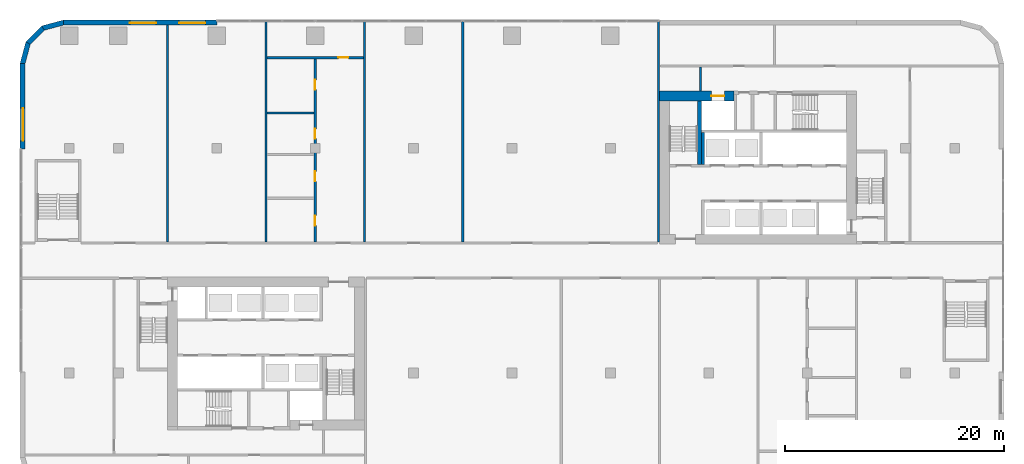
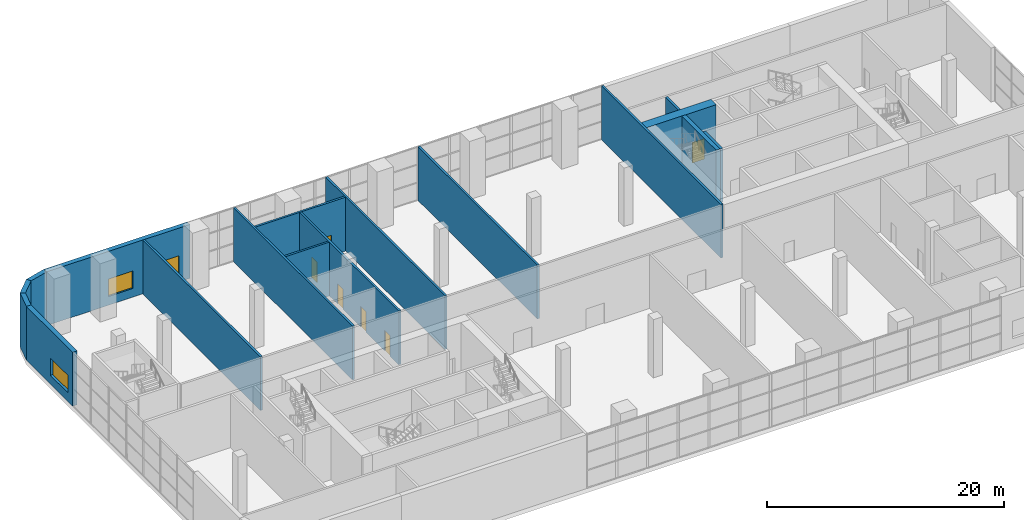
# One storey, part 14 of 27: 17 walls, 6 doors, 3 windows, 9 openings.
"""IFC4 building model written with IfcOpenShell, lengths in metres."""

from ifc_helpers import new_model, si_unit, direction, frame, frame_2d, origin, place, context, subcontext, project, spatial, polyline, rectangle, outline, extrude, material, layer, layer_set, type_object, element, fill, save


model = new_model("IFC4")

# Units and contexts
model_context = context("Model", 3, precision=1e-05, world=origin(), true_north=direction((0.0, 1.0)))
body_context = subcontext(model_context, "Body", "Model", "MODEL_VIEW")
ifc_project = project(units=[si_unit("LENGTHUNIT", "METRE"), si_unit("AREAUNIT", "SQUARE_METRE"), si_unit("VOLUMEUNIT", "CUBIC_METRE"), si_unit("PLANEANGLEUNIT", "RADIAN"), si_unit("MASSUNIT", "GRAM", prefix="KILO")], contexts=[model_context])

# Site, building, storey
site_placement = place(None, origin())
site = spatial("IfcSite", under=ifc_project, at=site_placement, CompositionType="ELEMENT")
building_placement = place(site_placement, origin())
building = spatial("IfcBuilding", under=site, at=building_placement, Name="Kajstack Hotel Tower", CompositionType="ELEMENT")
storey_placement = place(building_placement, frame((0.0, 0.0, 11.0)))
storey = spatial("IfcBuildingStorey", under=building, at=storey_placement, Name="L01", CompositionType="ELEMENT", Elevation=11.0)

# Wall, opening, door
ifc_material_1 = material(Name="Concrete C60/75", Category="concrete")
ifc_layer_1 = layer(ifc_material_1, 0.89990234375)
ifc_layer_set_1 = layer_set([ifc_layer_1], Name="Core wall 900")
wall_type_1 = type_object("IfcWallType", Name="Core wall 900", PredefinedType="SHEAR", material=ifc_layer_set_1)
wall_1_placement = place(storey_placement, frame((13.5, 15.050048828125, 0.0), z_axis=(0.0, 0.0, 1.0), x_axis=(1.0, 0.0, 0.0)))
wall_1 = element("IfcWall", 1, at=wall_1_placement, inside=storey, type_object=wall_type_1, Name="Core wall E RS", PredefinedType="SHEAR", context=body_context, shape_type="SweptSolid", body=[
    extrude(rectangle(XDim=6.800048828125, YDim=0.89990234375, at=frame_2d((3.39990234375, 0.0))), origin(), (0.0, 0.0, 1.0), 5.550048828125),
])
opening_1_placement = place(wall_1_placement, frame((4.72509765625, 0.0, 0.0)))
opening_1 = element("IfcOpeningElement", 2, at=opening_1_placement, cuts=wall_1, Name="Opening LD-SV2", PredefinedType="OPENING", context=body_context, shape_type="SweptSolid", body=[
    extrude(rectangle(XDim=1.199951171875, YDim=2.10009765625, at=frame_2d((0.60009765625, 1.050048828125))), frame((0.0, 0.4599609375, 0.0), z_axis=(0.0, -1.0, 0.0), x_axis=(1.0, 0.0, 0.0)), (0.0, 0.0, 1.0), 0.919921875),
])
ifc_material_2 = material(Name="Stainless steel", Category="steel")
door_type_1 = type_object("IfcDoorType", Name="Lift landing door 1200", OperationType="SLIDING_TO_LEFT", PredefinedType="DOOR", material=ifc_material_2)
door_1_placement = place(opening_1_placement, origin())
door_1 = element("IfcDoor", 3, at=door_1_placement, inside=storey, type_object=door_type_1, Name="Landing door SV2", OperationType="SLIDING_TO_LEFT", OverallHeight=2.10009765625, OverallWidth=1.199951171875, PredefinedType="DOOR", context=body_context, shape_type="SweptSolid", body=[
    extrude(rectangle(XDim=1.199951171875, YDim=2.10009765625, at=frame_2d((0.60009765625, 1.050048828125))), frame((0.0, 0.02490234375, 0.0), z_axis=(0.0, -1.0, 0.0), x_axis=(1.0, 0.0, 0.0)), (0.0, 0.0, 1.0), 0.050048828125),
])
fill(opening_1, door_1)

# Wall, openings, windows
ifc_material_3 = material(Name="Terracotta-faced brick masonry", Category="masonry")
ifc_layer_2 = layer(ifc_material_3, 0.449951171875)
ifc_layer_set_2 = layer_set([ifc_layer_2], Name="EW-TERRA")
wall_type_2 = type_object("IfcWallType", Name="EW-TERRA", PredefinedType="SOLIDWALL", material=ifc_layer_set_2)
wall_2_placement = place(storey_placement, frame((-27.0, 21.77490234375, 0.0), z_axis=(0.0, 0.0, 1.0), x_axis=(-1.0, 0.0, 0.0)))
wall_2 = element("IfcWall", 4, at=wall_2_placement, inside=storey, type_object=wall_type_2, Name="E-wall-L01-11-03", PredefinedType="SOLIDWALL", context=body_context, shape_type="SweptSolid", body=[
    extrude(rectangle(XDim=14.0, YDim=0.449951171875, at=frame_2d((7.0, 0.0))), origin(), (0.0, 0.0, 1.0), 5.550048828125),
])
opening_2_placement = place(wall_2_placement, frame((1.050048828125, 0.0, 0.89990234375)))
opening_2 = element("IfcOpeningElement", 5, at=opening_2_placement, cuts=wall_2, Name="Opening W4", PredefinedType="OPENING", context=body_context, shape_type="SweptSolid", body=[
    extrude(rectangle(XDim=2.39990234375, YDim=1.800048828125, at=frame_2d((1.199951171875, 0.89990234375))), frame((0.0, 0.23486328125, 0.0), z_axis=(0.0, -1.0, 0.0), x_axis=(1.0, 0.0, 0.0)), (0.0, 0.0, 1.0), 0.469970703125),
])
opening_3_placement = place(wall_2_placement, frame((5.550048828125, 0.0, 0.89990234375)))
opening_3 = element("IfcOpeningElement", 6, at=opening_3_placement, cuts=wall_2, Name="Opening W4", PredefinedType="OPENING", context=body_context, shape_type="SweptSolid", body=[
    extrude(rectangle(XDim=2.39990234375, YDim=1.800048828125, at=frame_2d((1.199951171875, 0.89990234375))), frame((0.0, 0.23486328125, 0.0), z_axis=(0.0, -1.0, 0.0), x_axis=(1.0, 0.0, 0.0)), (0.0, 0.0, 1.0), 0.469970703125),
])
ifc_material_4 = material(Name="Timber-aluminium window, triple glazed", Category="wood")
window_type_1 = type_object("IfcWindowType", Name="WP1", PartitioningType="SINGLE_PANEL", PredefinedType="WINDOW", material=ifc_material_4)
window_1_placement = place(opening_2_placement, origin())
window_1 = element("IfcWindow", 7, at=window_1_placement, inside=storey, type_object=window_type_1, Name="Window W4 L01-11", OverallHeight=1.800048828125, OverallWidth=2.39990234375, PartitioningType="SINGLE_PANEL", PredefinedType="WINDOW", context=body_context, shape_type="SweptSolid", body=[
    extrude(rectangle(XDim=2.39990234375, YDim=1.800048828125, at=frame_2d((1.199951171875, 0.89990234375))), frame((0.0, 0.090087890625, 0.0), z_axis=(0.0, -1.0, 0.0), x_axis=(1.0, 0.0, 0.0)), (0.0, 0.0, 1.0), 0.06005859375),
])
fill(opening_2, window_1)
window_2_placement = place(opening_3_placement, origin())
window_2 = element("IfcWindow", 8, at=window_2_placement, inside=storey, type_object=window_type_1, Name="Window W4 L01-11", OverallHeight=1.800048828125, OverallWidth=2.39990234375, PartitioningType="SINGLE_PANEL", PredefinedType="WINDOW", context=body_context, shape_type="SweptSolid", body=[
    extrude(rectangle(XDim=2.39990234375, YDim=1.800048828125, at=frame_2d((1.199951171875, 0.89990234375))), frame((0.0, 0.090087890625, 0.0), z_axis=(0.0, -1.0, 0.0), x_axis=(1.0, 0.0, 0.0)), (0.0, 0.0, 1.0), 0.06005859375),
])
fill(opening_3, window_2)

# Walls
wall_3_placement = place(storey_placement, frame((-40.941650390625, 21.78271484375, 0.0), z_axis=(0.0, 0.0, 1.0), x_axis=(-0.965926999034, -0.25881466832, 0.0)))
element("IfcWall", 9, at=wall_3_placement, inside=storey, type_object=wall_type_2, Name="E-wall-L01-12-00", PredefinedType="SOLIDWALL", context=body_context, shape_type="SweptSolid", body=[
    extrude(outline(polyline([(0.000244140625, -0.22509765625), (2.070556640625, -0.224853515625), (1.9501953125, 0.22509765625), (0.12060546875, 0.22509765625), (0.000244140625, -0.22509765625)])), origin(), (0.0, 0.0, 1.0), 5.550048828125),
])
wall_4_placement = place(storey_placement, frame((-42.8408203125, 21.304931640625, 0.0), z_axis=(0.0, 0.0, 1.0), x_axis=(-0.707106781187, -0.707106781187, 0.0)))
element("IfcWall", 10, at=wall_4_placement, inside=storey, type_object=wall_type_2, Name="E-wall-L01-13-00", PredefinedType="SOLIDWALL", context=body_context, shape_type="SweptSolid", body=[
    extrude(outline(polyline([(0.0, -0.22509765625), (2.070556640625, -0.22509765625), (1.949951171875, 0.224853515625), (0.12060546875, 0.224853515625), (0.0, -0.22509765625)])), origin(), (0.0, 0.0, 1.0), 5.550048828125),
])
wall_5_placement = place(storey_placement, frame((-44.246826171875, 19.941650390625, 0.0), z_axis=(0.0, 0.0, 1.0), x_axis=(-0.25881466832, -0.965926999034, 0.0)))
element("IfcWall", 11, at=wall_5_placement, inside=storey, type_object=wall_type_2, Name="E-wall-L01-14-00", PredefinedType="SOLIDWALL", context=body_context, shape_type="SweptSolid", body=[
    extrude(outline(polyline([(-0.000244140625, -0.224853515625), (2.0703125, -0.22509765625), (1.949951171875, 0.22509765625), (0.120361328125, 0.22509765625), (-0.000244140625, -0.224853515625)])), origin(), (0.0, 0.0, 1.0), 5.550048828125),
])

# Wall, opening, window
wall_6_placement = place(storey_placement, frame((-44.77490234375, 18.0, 0.0), z_axis=(0.0, 0.0, 1.0), x_axis=(0.0, -1.0, 0.0)))
wall_6 = element("IfcWall", 12, at=wall_6_placement, inside=storey, type_object=wall_type_2, Name="E-wall-L01-15-00", PredefinedType="SOLIDWALL", context=body_context, shape_type="SweptSolid", body=[
    extrude(rectangle(XDim=7.800048828125, YDim=0.449951171875, at=frame_2d((3.89990234375, 0.0))), origin(), (0.0, 0.0, 1.0), 5.550048828125),
])
opening_4_placement = place(wall_6_placement, frame((4.050048828125, 0.0, 0.89990234375)))
opening_4 = element("IfcOpeningElement", 13, at=opening_4_placement, cuts=wall_6, Name="Opening W5", PredefinedType="OPENING", context=body_context, shape_type="SweptSolid", body=[
    extrude(rectangle(XDim=3.0, YDim=1.800048828125, at=frame_2d((1.5, 0.89990234375))), frame((0.0, 0.23486328125, 0.0), z_axis=(0.0, -1.0, 0.0), x_axis=(1.0, 0.0, 0.0)), (0.0, 0.0, 1.0), 0.469970703125),
])
window_type_2 = type_object("IfcWindowType", Name="WP2", PartitioningType="SINGLE_PANEL", PredefinedType="WINDOW", material=ifc_material_4)
window_3_placement = place(opening_4_placement, origin())
window_3 = element("IfcWindow", 14, at=window_3_placement, inside=storey, type_object=window_type_2, Name="Window W5 L01-15", OverallHeight=1.800048828125, OverallWidth=3.0, PartitioningType="SINGLE_PANEL", PredefinedType="WINDOW", context=body_context, shape_type="SweptSolid", body=[
    extrude(rectangle(XDim=3.0, YDim=1.800048828125, at=frame_2d((1.5, 0.89990234375))), frame((0.0, 0.090087890625, 0.0), z_axis=(0.0, -1.0, 0.0), x_axis=(1.0, 0.0, 0.0)), (0.0, 0.0, 1.0), 0.06005859375),
])
fill(opening_4, window_3)

# Walls
ifc_material_5 = material(Name="Gypsum board on steel studs, mineral wool", Category="steel")
ifc_layer_3 = layer(ifc_material_5, 0.199951171875)
ifc_layer_set_3 = layer_set([ifc_layer_3], Name="Public partition 200")
wall_type_3 = type_object("IfcWallType", Name="Public partition 200", PredefinedType="PARTITIONING", material=ifc_layer_set_3)
for number, where, z_axis, x_axis, name in (
    (15, (-4.5, 1.699951171875, 0.0), (0.0, 0.0, 1.0), (0.0, 1.0, 0.0), "Partition PX0"),
    (16, (-13.5, 1.699951171875, 0.0), (0.0, 0.0, 1.0), (0.0, 1.0, 0.0), "Partition PX1"),
):
    element("IfcWall", number, at=place(storey_placement, frame(where, z_axis=z_axis, x_axis=x_axis)), inside=storey, type_object=wall_type_3, Name=name, PredefinedType="PARTITIONING", context=body_context, shape_type="SweptSolid", body=[
        extrude(rectangle(XDim=20.150146484375, YDim=0.199951171875, at=frame_2d((10.0751953125, 0.0))), origin(), (0.0, 0.0, 1.0), 5.550048828125),
    ])

# Wall, openings, doors
wall_7_placement = place(storey_placement, frame((-18.0, 1.699951171875, 0.0), z_axis=(0.0, 0.0, 1.0), x_axis=(0.0, 1.0, 0.0)))
wall_7 = element("IfcWall", 17, at=wall_7_placement, inside=storey, type_object=wall_type_3, Name="Partition C2CW", PredefinedType="PARTITIONING", context=body_context, shape_type="SweptSolid", body=[
    extrude(rectangle(XDim=16.75, YDim=0.199951171875, at=frame_2d((8.375, 0.0))), origin(), (0.0, 0.0, 1.0), 5.550048828125),
])
opening_5_placement = place(wall_7_placement, frame((1.5, 0.0, 0.0)))
opening_5 = element("IfcOpeningElement", 18, at=opening_5_placement, cuts=wall_7, Name="Opening 01P05", PredefinedType="OPENING", context=body_context, shape_type="SweptSolid", body=[
    extrude(rectangle(XDim=0.89990234375, YDim=2.10009765625, at=frame_2d((0.449951171875, 1.050048828125))), frame((0.0, 0.10986328125, 0.0), z_axis=(0.0, -1.0, 0.0), x_axis=(1.0, 0.0, 0.0)), (0.0, 0.0, 1.0), 0.219970703125),
])
opening_6_placement = place(wall_7_placement, frame((5.550048828125, 0.0, 0.0)))
opening_6 = element("IfcOpeningElement", 19, at=opening_6_placement, cuts=wall_7, Name="Opening 01P06", PredefinedType="OPENING", context=body_context, shape_type="SweptSolid", body=[
    extrude(rectangle(XDim=0.89990234375, YDim=2.10009765625, at=frame_2d((0.449951171875, 1.050048828125))), frame((0.0, 0.10986328125, 0.0), z_axis=(0.0, -1.0, 0.0), x_axis=(1.0, 0.0, 0.0)), (0.0, 0.0, 1.0), 0.219970703125),
])
opening_7_placement = place(wall_7_placement, frame((9.449951171875, 0.0, 0.0)))
opening_7 = element("IfcOpeningElement", 20, at=opening_7_placement, cuts=wall_7, Name="Opening 01P07", PredefinedType="OPENING", context=body_context, shape_type="SweptSolid", body=[
    extrude(rectangle(XDim=0.89990234375, YDim=2.10009765625, at=frame_2d((0.449951171875, 1.050048828125))), frame((0.0, 0.10986328125, 0.0), z_axis=(0.0, -1.0, 0.0), x_axis=(1.0, 0.0, 0.0)), (0.0, 0.0, 1.0), 0.219970703125),
])
opening_8_placement = place(wall_7_placement, frame((13.925048828125, 0.0, 0.0)))
opening_8 = element("IfcOpeningElement", 21, at=opening_8_placement, cuts=wall_7, Name="Opening 01P08", PredefinedType="OPENING", context=body_context, shape_type="SweptSolid", body=[
    extrude(rectangle(XDim=0.89990234375, YDim=2.10009765625, at=frame_2d((0.449951171875, 1.050048828125))), frame((0.0, 0.10986328125, 0.0), z_axis=(0.0, -1.0, 0.0), x_axis=(1.0, 0.0, 0.0)), (0.0, 0.0, 1.0), 0.219970703125),
])
ifc_material_6 = material(Name="Timber leaf", Category="wood")
door_type_2 = type_object("IfcDoorType", Name="Public room door 900", OperationType="SINGLE_SWING_LEFT", PredefinedType="DOOR", material=ifc_material_6)
door_2_placement = place(opening_5_placement, origin())
door_2 = element("IfcDoor", 22, at=door_2_placement, inside=storey, type_object=door_type_2, Name="Door 01P05", OperationType="SINGLE_SWING_LEFT", OverallHeight=2.10009765625, OverallWidth=0.89990234375, PredefinedType="DOOR", context=body_context, shape_type="SweptSolid", body=[
    extrude(rectangle(XDim=0.89990234375, YDim=2.10009765625, at=frame_2d((0.449951171875, 1.050048828125))), frame((0.0, 0.02490234375, 0.0), z_axis=(0.0, -1.0, 0.0), x_axis=(1.0, 0.0, 0.0)), (0.0, 0.0, 1.0), 0.050048828125),
])
fill(opening_5, door_2)
door_3_placement = place(opening_6_placement, origin())
door_3 = element("IfcDoor", 23, at=door_3_placement, inside=storey, type_object=door_type_2, Name="Door 01P06", OperationType="SINGLE_SWING_LEFT", OverallHeight=2.10009765625, OverallWidth=0.89990234375, PredefinedType="DOOR", context=body_context, shape_type="SweptSolid", body=[
    extrude(rectangle(XDim=0.89990234375, YDim=2.10009765625, at=frame_2d((0.449951171875, 1.050048828125))), frame((0.0, 0.02490234375, 0.0), z_axis=(0.0, -1.0, 0.0), x_axis=(1.0, 0.0, 0.0)), (0.0, 0.0, 1.0), 0.050048828125),
])
fill(opening_6, door_3)
door_4_placement = place(opening_7_placement, origin())
door_4 = element("IfcDoor", 24, at=door_4_placement, inside=storey, type_object=door_type_2, Name="Door 01P07", OperationType="SINGLE_SWING_LEFT", OverallHeight=2.10009765625, OverallWidth=0.89990234375, PredefinedType="DOOR", context=body_context, shape_type="SweptSolid", body=[
    extrude(rectangle(XDim=0.89990234375, YDim=2.10009765625, at=frame_2d((0.449951171875, 1.050048828125))), frame((0.0, 0.02490234375, 0.0), z_axis=(0.0, -1.0, 0.0), x_axis=(1.0, 0.0, 0.0)), (0.0, 0.0, 1.0), 0.050048828125),
])
fill(opening_7, door_4)
door_5_placement = place(opening_8_placement, origin())
door_5 = element("IfcDoor", 25, at=door_5_placement, inside=storey, type_object=door_type_2, Name="Door 01P08", OperationType="SINGLE_SWING_LEFT", OverallHeight=2.10009765625, OverallWidth=0.89990234375, PredefinedType="DOOR", context=body_context, shape_type="SweptSolid", body=[
    extrude(rectangle(XDim=0.89990234375, YDim=2.10009765625, at=frame_2d((0.449951171875, 1.050048828125))), frame((0.0, 0.02490234375, 0.0), z_axis=(0.0, -1.0, 0.0), x_axis=(1.0, 0.0, 0.0)), (0.0, 0.0, 1.0), 0.050048828125),
])
fill(opening_8, door_5)

# Wall
wall_8_placement = place(storey_placement, frame((-22.39990234375, 13.5, 0.0), z_axis=(0.0, 0.0, 1.0), x_axis=(1.0, 0.0, 0.0)))
element("IfcWall", 26, at=wall_8_placement, inside=storey, type_object=wall_type_3, Name="Partition C2wP2", PredefinedType="PARTITIONING", context=body_context, shape_type="SweptSolid", body=[
    extrude(rectangle(XDim=4.2998046875, YDim=0.199951171875, at=frame_2d((2.14990234375, 0.0))), origin(), (0.0, 0.0, 1.0), 5.550048828125),
])

# Wall, opening, door
wall_9_placement = place(storey_placement, frame((-22.39990234375, 18.550048828125, 0.0), z_axis=(0.0, 0.0, 1.0), x_axis=(1.0, 0.0, 0.0)))
wall_9 = element("IfcWall", 27, at=wall_9_placement, inside=storey, type_object=wall_type_3, Name="Partition C2BW", PredefinedType="PARTITIONING", context=body_context, shape_type="SweptSolid", body=[
    extrude(rectangle(XDim=8.7998046875, YDim=0.199951171875, at=frame_2d((4.39990234375, 0.0))), origin(), (0.0, 0.0, 1.0), 5.550048828125),
])
opening_9_placement = place(wall_9_placement, frame((6.52490234375, 0.0, 0.0)))
opening_9 = element("IfcOpeningElement", 28, at=opening_9_placement, cuts=wall_9, Name="Opening 01P09", PredefinedType="OPENING", context=body_context, shape_type="SweptSolid", body=[
    extrude(rectangle(XDim=0.89990234375, YDim=2.10009765625, at=frame_2d((0.449951171875, 1.050048828125))), frame((0.0, 0.10986328125, 0.0), z_axis=(0.0, -1.0, 0.0), x_axis=(1.0, 0.0, 0.0)), (0.0, 0.0, 1.0), 0.219970703125),
])
door_6_placement = place(opening_9_placement, origin())
door_6 = element("IfcDoor", 29, at=door_6_placement, inside=storey, type_object=door_type_2, Name="Door 01P09", OperationType="SINGLE_SWING_LEFT", OverallHeight=2.10009765625, OverallWidth=0.89990234375, PredefinedType="DOOR", context=body_context, shape_type="SweptSolid", body=[
    extrude(rectangle(XDim=0.89990234375, YDim=2.10009765625, at=frame_2d((0.449951171875, 1.050048828125))), frame((0.0, 0.02490234375, 0.0), z_axis=(0.0, -1.0, 0.0), x_axis=(1.0, 0.0, 0.0)), (0.0, 0.0, 1.0), 0.050048828125),
])
fill(opening_9, door_6)

# Walls
wall_10_placement = place(storey_placement, frame((-22.5, 1.699951171875, 0.0), z_axis=(0.0, 0.0, 1.0), x_axis=(0.0, 1.0, 0.0)))
element("IfcWall", 30, at=wall_10_placement, inside=storey, type_object=wall_type_3, Name="Partition PX2", PredefinedType="PARTITIONING", context=body_context, shape_type="SweptSolid", body=[
    extrude(rectangle(XDim=20.150146484375, YDim=0.199951171875, at=frame_2d((10.0751953125, 0.0))), origin(), (0.0, 0.0, 1.0), 5.550048828125),
])
wall_11_placement = place(storey_placement, frame((-31.5, 1.699951171875, 0.0), z_axis=(0.0, 0.0, 1.0), x_axis=(0.0, 1.0, 0.0)))
element("IfcWall", 31, at=wall_11_placement, inside=storey, type_object=wall_type_3, Name="Partition PX3", PredefinedType="PARTITIONING", context=body_context, shape_type="SweptSolid", body=[
    extrude(rectangle(XDim=19.85009765625, YDim=0.199951171875, at=frame_2d((9.925048828125, 0.0))), origin(), (0.0, 0.0, 1.0), 5.550048828125),
])
wall_12_placement = place(storey_placement, frame((13.39990234375, 1.699951171875, 0.0), z_axis=(0.0, 0.0, 1.0), x_axis=(0.0, 1.0, 0.0)))
element("IfcWall", 32, at=wall_12_placement, inside=storey, type_object=wall_type_3, Name="Partition EW", PredefinedType="PARTITIONING", context=body_context, shape_type="SweptSolid", body=[
    extrude(rectangle(XDim=20.150146484375, YDim=0.199951171875, at=frame_2d((10.0751953125, 0.0))), origin(), (0.0, 0.0, 1.0), 5.550048828125),
])
ifc_layer_4 = layer(ifc_material_5, 0.199951171875)
ifc_layer_set_4 = layer_set([ifc_layer_4], Name="Service partition 200")
wall_type_4 = type_object("IfcWallType", Name="Service partition 200", PredefinedType="PARTITIONING", material=ifc_layer_set_4)
wall_13_placement = place(storey_placement, frame((17.25, 15.5, 0.0), z_axis=(0.0, 0.0, 1.0), x_axis=(0.0, 1.0, 0.0)))
element("IfcWall", 33, at=wall_13_placement, inside=storey, type_object=wall_type_4, Name="Partition E SCE", PredefinedType="PARTITIONING", context=body_context, shape_type="SweptSolid", body=[
    extrude(rectangle(XDim=2.199951171875, YDim=0.199951171875, at=frame_2d((1.10009765625, 0.0))), origin(), (0.0, 0.0, 1.0), 5.550048828125),
])
ifc_material_7 = material(Name="Concrete C50/60", Category="concrete")
ifc_layer_5 = layer(ifc_material_7, 0.25)
ifc_layer_set_5 = layer_set([ifc_layer_5], Name="Shaft wall 250")
wall_type_5 = type_object("IfcWallType", Name="Shaft wall 250", PredefinedType="SHEAR", material=ifc_layer_set_5)
wall_14_placement = place(storey_placement, frame((17.47509765625, 8.800048828125, 0.0), z_axis=(0.0, 0.0, 1.0), x_axis=(0.0, 1.0, 0.0)))
element("IfcWall", 34, at=wall_14_placement, inside=storey, type_object=wall_type_5, Name="Core wall E BE", PredefinedType="SHEAR", context=body_context, shape_type="SweptSolid", body=[
    extrude(rectangle(XDim=2.89990234375, YDim=0.25, at=frame_2d((1.449951171875, 0.0))), origin(), (0.0, 0.0, 1.0), 5.550048828125),
])
ifc_layer_6 = layer(ifc_material_7, 0.39990234375)
ifc_layer_set_6 = layer_set([ifc_layer_6], Name="Stair wall 400")
wall_type_6 = type_object("IfcWallType", Name="Stair wall 400", PredefinedType="SHEAR", material=ifc_layer_set_6)
wall_15_placement = place(storey_placement, frame((17.14990234375, 8.800048828125, 0.0), z_axis=(0.0, 0.0, 1.0), x_axis=(0.0, 1.0, 0.0)))
element("IfcWall", 35, at=wall_15_placement, inside=storey, type_object=wall_type_6, Name="Core wall E WW2", PredefinedType="SHEAR", context=body_context, shape_type="SweptSolid", body=[
    extrude(rectangle(XDim=5.800048828125, YDim=0.39990234375, at=frame_2d((2.89990234375, 0.0))), origin(), (0.0, 0.0, 1.0), 5.550048828125),
])

save(model, "model.ifc")
